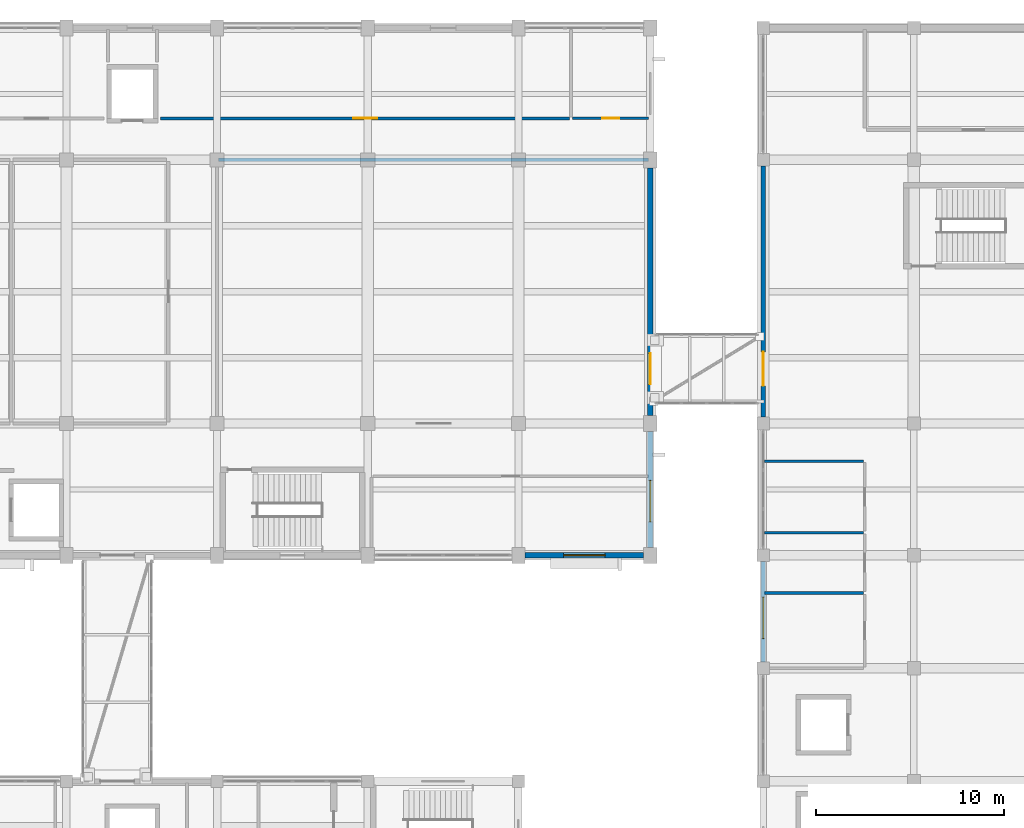
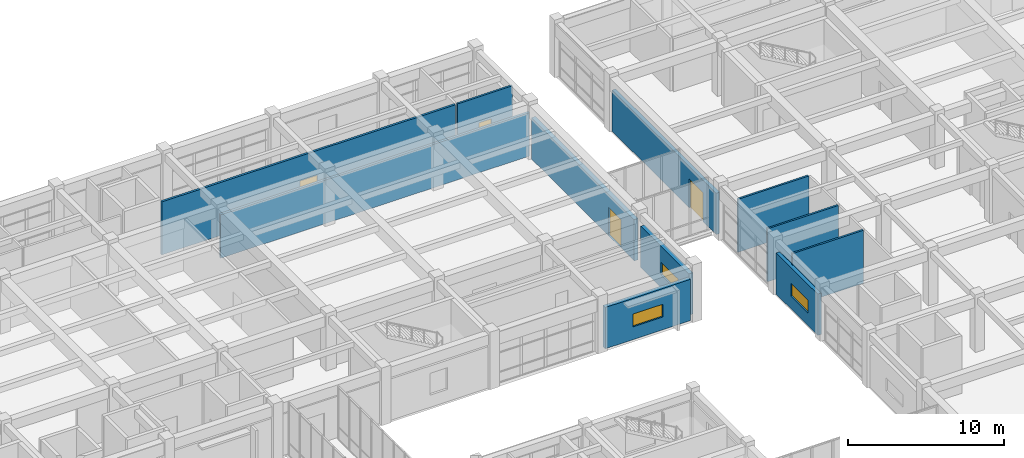
# One storey, part 53 of 72: 11 walls, 4 doors, 3 windows, 7 openings.
"""IFC4 building model written with IfcOpenShell, lengths in metres."""

from ifc_helpers import new_model, si_unit, direction, frame, frame_2d, origin, place, context, subcontext, project, spatial, rectangle, extrude, material, layer, layer_set, type_object, element, fill, save


model = new_model("IFC4")

# Units and contexts
model_context = context("Model", 3, precision=1e-05, world=origin(), true_north=direction((0.0, 1.0)))
body_context = subcontext(model_context, "Body", "Model", "MODEL_VIEW")
ifc_project = project(units=[si_unit("LENGTHUNIT", "METRE"), si_unit("AREAUNIT", "SQUARE_METRE"), si_unit("VOLUMEUNIT", "CUBIC_METRE"), si_unit("PLANEANGLEUNIT", "RADIAN"), si_unit("MASSUNIT", "GRAM", prefix="KILO")], contexts=[model_context])

# Site, building, storey
site_placement = place(None, origin())
site = spatial("IfcSite", under=ifc_project, at=site_placement, CompositionType="ELEMENT")
building_placement = place(site_placement, origin())
building = spatial("IfcBuilding", under=site, at=building_placement, Name="Naurynzar Civic Courthouse", CompositionType="ELEMENT")
storey_placement = place(building_placement, frame((0.0, 0.0, 9.89990234375)))
storey = spatial("IfcBuildingStorey", under=building, at=storey_placement, Name="L03", CompositionType="ELEMENT", Elevation=9.89990234375)

# Wall
ifc_material_1 = material(Name="Acoustic Double-Stud Gypsum Partition")
ifc_layer_1 = layer(ifc_material_1, 0.175048828125)
ifc_layer_set_1 = layer_set([ifc_layer_1], Name="WL-ACOUSTIC-175")
wall_type_1 = type_object("IfcWallType", Name="WL-ACOUSTIC-175", PredefinedType="PARTITIONING", material=ifc_layer_set_1)
wall_1_placement = place(storey_placement, frame((101.080078125, 65.0, 0.0), z_axis=(0.0, 0.0, 1.0), x_axis=(1.0, 0.0, 0.0)))
element("IfcWall", 1, at=wall_1_placement, inside=storey, type_object=wall_type_1, Name="V2 interior partition L03.367", PredefinedType="PARTITIONING", context=body_context, shape_type="SweptSolid", body=[
    extrude(rectangle(XDim=22.83984375, YDim=0.175048828125, at=frame_2d((11.419921875, 0.0))), origin(), (0.0, 0.0, 1.0), 3.400146484375),
])

# Wall, opening, window
ifc_material_2 = material(Name="Precast concrete C40/50", Category="concrete")
ifc_layer_2 = layer(ifc_material_2, 0.260009765625)
ifc_layer_set_2 = layer_set([ifc_layer_2], Name="WL-EXT-260")
wall_type_2 = type_object("IfcWallType", Name="WL-EXT-260", PredefinedType="SOLIDWALL", material=ifc_layer_set_2)
wall_2_placement = place(storey_placement, frame((130.0, 38.33740234375, 0.0), z_axis=(0.0, 0.0, 1.0), x_axis=(0.0, 1.0, 0.0)))
wall_2 = element("IfcWall", 2, at=wall_2_placement, inside=storey, type_object=wall_type_2, Name="V5 exterior wall west L03.6.1", PredefinedType="SOLIDWALL", context=body_context, shape_type="SweptSolid", body=[
    extrude(rectangle(XDim=5.3251953125, YDim=0.260009765625, at=frame_2d((2.66259765625, 0.0))), origin(), (0.0, 0.0, 1.0), 3.22998046875),
])
opening_1_placement = place(wall_2_placement, frame((1.242919921875, 0.0, 1.0)))
opening_1 = element("IfcOpeningElement", 3, at=opening_1_placement, cuts=wall_2, Name="Opening WN-18", PredefinedType="OPENING", context=body_context, shape_type="SweptSolid", body=[
    extrude(rectangle(XDim=2.199951171875, YDim=1.0, at=frame_2d((1.10009765625, 0.5))), frame((0.0, 0.139892578125, 0.0), z_axis=(0.0, -1.0, 0.0), x_axis=(1.0, 0.0, 0.0)), (0.0, 0.0, 1.0), 0.280029296875),
])
ifc_material_3 = material(Name="Tempered Laminated Low-E Glass", Category="glass")
window_type = type_object("IfcWindowType", Name="WIN-CLER-2200x1000", PartitioningType="DOUBLE_PANEL_VERTICAL", PredefinedType="WINDOW", material=ifc_material_3)
window_1_placement = place(opening_1_placement, origin())
window_1 = element("IfcWindow", 4, at=window_1_placement, inside=storey, type_object=window_type, Name="V5 window 284 L03", OverallHeight=1.0, OverallWidth=2.199951171875, PartitioningType="SINGLE_PANEL", PredefinedType="WINDOW", context=body_context, shape_type="SweptSolid", body=[
    extrude(rectangle(XDim=2.199951171875, YDim=1.0, at=frame_2d((1.10009765625, 0.5))), frame((0.0, 0.030029296875, 0.0), z_axis=(0.0, -1.0, 0.0), x_axis=(1.0, 0.0, 0.0)), (0.0, 0.0, 1.0), 0.06005859375),
])
fill(opening_1, window_1)

# Wall, opening, door
wall_3_placement = place(storey_placement, frame((130.0, 51.33740234375, 0.0), z_axis=(0.0, 0.0, 1.0), x_axis=(0.0, 1.0, 0.0)))
wall_3 = element("IfcWall", 5, at=wall_3_placement, inside=storey, type_object=wall_type_2, Name="V5 exterior wall west L03.8.1", PredefinedType="SOLIDWALL", context=body_context, shape_type="SweptSolid", body=[
    extrude(rectangle(XDim=13.3251953125, YDim=0.260009765625, at=frame_2d((6.66259765625, 0.0))), origin(), (0.0, 0.0, 1.0), 3.22998046875),
])
opening_2_placement = place(wall_3_placement, frame((1.66259765625, 0.0, 0.0)))
opening_2 = element("IfcOpeningElement", 6, at=opening_2_placement, cuts=wall_3, Name="Opening BD-37", PredefinedType="OPENING", context=body_context, shape_type="SweptSolid", body=[
    extrude(rectangle(XDim=1.800048828125, YDim=2.25, at=frame_2d((0.89990234375, 1.125))), frame((0.0, 0.139892578125, 0.0), z_axis=(0.0, -1.0, 0.0), x_axis=(1.0, 0.0, 0.0)), (0.0, 0.0, 1.0), 0.280029296875),
])
ifc_material_4 = material(Name="Aluminium 6063-T6", Category="aluminium")
door_type_1 = type_object("IfcDoorType", Name="DR-BRG-1800x2250", OperationType="DOUBLE_DOOR_SINGLE_SWING", PredefinedType="DOOR", material=ifc_material_4)
door_1_placement = place(opening_2_placement, origin())
door_1 = element("IfcDoor", 7, at=door_1_placement, inside=storey, type_object=door_type_1, Name="Seismic bridge fire door BD-37", OperationType="DOUBLE_DOOR_SINGLE_SWING", OverallHeight=2.25, OverallWidth=1.800048828125, PredefinedType="DOOR", context=body_context, shape_type="SweptSolid", body=[
    extrude(rectangle(XDim=1.800048828125, YDim=2.25, at=frame_2d((0.89990234375, 1.125))), frame((0.0, 0.02490234375, 0.0), z_axis=(0.0, -1.0, 0.0), x_axis=(1.0, 0.0, 0.0)), (0.0, 0.0, 1.0), 0.050048828125),
])
fill(opening_2, door_1)

ifc_material_5 = material(Name="Precast concrete C40/50", Category="concrete")
ifc_layer_3 = layer(ifc_material_5, 0.300048828125)
ifc_layer_set_3 = layer_set([ifc_layer_3], Name="WL-EXT-300")
wall_type_3 = type_object("IfcWallType", Name="WL-EXT-300", PredefinedType="SOLIDWALL", material=ifc_layer_set_3)
wall_4_placement = place(storey_placement, frame((124.0, 64.574951171875, 0.0), z_axis=(0.0, 0.0, 1.0), x_axis=(0.0, -1.0, 0.0)))
wall_4 = element("IfcWall", 8, at=wall_4_placement, inside=storey, type_object=wall_type_3, Name="V2 exterior wall east L03.2.1", PredefinedType="SOLIDWALL", context=body_context, shape_type="SweptSolid", body=[
    extrude(rectangle(XDim=13.14990234375, YDim=0.300048828125, at=frame_2d((6.574951171875, 0.0))), origin(), (0.0, 0.0, 1.0), 3.22998046875),
])
opening_3_placement = place(wall_4_placement, frame((9.85009765625, 0.0, 0.0)))
opening_3 = element("IfcOpeningElement", 9, at=opening_3_placement, cuts=wall_4, Name="Opening BD-12", PredefinedType="OPENING", context=body_context, shape_type="SweptSolid", body=[
    extrude(rectangle(XDim=1.64990234375, YDim=2.199951171875, at=frame_2d((0.824951171875, 1.10009765625))), frame((0.0, 0.159912109375, 0.0), z_axis=(0.0, -1.0, 0.0), x_axis=(1.0, 0.0, 0.0)), (0.0, 0.0, 1.0), 0.320068359375),
])
ifc_material_6 = material(Name="Aluminium 6063-T6", Category="aluminium")
door_type_2 = type_object("IfcDoorType", Name="DR-BRG-1650x2200", OperationType="DOUBLE_DOOR_SINGLE_SWING", PredefinedType="DOOR", material=ifc_material_6)
door_2_placement = place(opening_3_placement, origin())
door_2 = element("IfcDoor", 10, at=door_2_placement, inside=storey, type_object=door_type_2, Name="Seismic bridge fire door BD-12", OperationType="DOUBLE_DOOR_SINGLE_SWING", OverallHeight=2.199951171875, OverallWidth=1.64990234375, PredefinedType="DOOR", context=body_context, shape_type="SweptSolid", body=[
    extrude(rectangle(XDim=1.64990234375, YDim=2.199951171875, at=frame_2d((0.824951171875, 1.10009765625))), frame((0.0, 0.02490234375, 0.0), z_axis=(0.0, -1.0, 0.0), x_axis=(1.0, 0.0, 0.0)), (0.0, 0.0, 1.0), 0.050048828125),
])
fill(opening_3, door_2)

# Wall, opening, window
wall_5_placement = place(storey_placement, frame((124.0, 50.574951171875, 0.0), z_axis=(0.0, 0.0, 1.0), x_axis=(0.0, -1.0, 0.0)))
wall_5 = element("IfcWall", 11, at=wall_5_placement, inside=storey, type_object=wall_type_3, Name="V2 exterior wall east L03.3.1", PredefinedType="SOLIDWALL", context=body_context, shape_type="SweptSolid", body=[
    extrude(rectangle(XDim=6.14990234375, YDim=0.300048828125, at=frame_2d((3.074951171875, 0.0))), origin(), (0.0, 0.0, 1.0), 3.22998046875),
])
opening_4_placement = place(wall_5_placement, frame((2.594970703125, 0.0, 1.0)))
opening_4 = element("IfcOpeningElement", 12, at=opening_4_placement, cuts=wall_5, Name="Opening WN-18", PredefinedType="OPENING", context=body_context, shape_type="SweptSolid", body=[
    extrude(rectangle(XDim=2.199951171875, YDim=1.0, at=frame_2d((1.10009765625, 0.5))), frame((0.0, 0.159912109375, 0.0), z_axis=(0.0, -1.0, 0.0), x_axis=(1.0, 0.0, 0.0)), (0.0, 0.0, 1.0), 0.320068359375),
])
window_2_placement = place(opening_4_placement, origin())
window_2 = element("IfcWindow", 13, at=window_2_placement, inside=storey, type_object=window_type, Name="V2 window 69 L03", OverallHeight=1.0, OverallWidth=2.199951171875, PartitioningType="SINGLE_PANEL", PredefinedType="WINDOW", context=body_context, shape_type="SweptSolid", body=[
    extrude(rectangle(XDim=2.199951171875, YDim=1.0, at=frame_2d((1.10009765625, 0.5))), frame((0.0, 0.030029296875, 0.0), z_axis=(0.0, -1.0, 0.0), x_axis=(1.0, 0.0, 0.0)), (0.0, 0.0, 1.0), 0.06005859375),
])
fill(opening_4, window_2)

wall_6_placement = place(storey_placement, frame((123.64990234375, 44.0, 0.0), z_axis=(0.0, 0.0, 1.0), x_axis=(-1.0, 0.0, 0.0)))
wall_6 = element("IfcWall", 14, at=wall_6_placement, inside=storey, type_object=wall_type_3, Name="V2 exterior wall south L03.1.1", PredefinedType="SOLIDWALL", context=body_context, shape_type="SweptSolid", body=[
    extrude(rectangle(XDim=6.2998046875, YDim=0.300048828125, at=frame_2d((3.14990234375, 0.0))), origin(), (0.0, 0.0, 1.0), 3.22998046875),
])
opening_5_placement = place(wall_6_placement, frame((2.050048828125, 0.0, 1.0)))
opening_5 = element("IfcOpeningElement", 15, at=opening_5_placement, cuts=wall_6, Name="Opening WN-18", PredefinedType="OPENING", context=body_context, shape_type="SweptSolid", body=[
    extrude(rectangle(XDim=2.199951171875, YDim=1.0, at=frame_2d((1.10009765625, 0.5))), frame((0.0, 0.159912109375, 0.0), z_axis=(0.0, -1.0, 0.0), x_axis=(1.0, 0.0, 0.0)), (0.0, 0.0, 1.0), 0.320068359375),
])
window_3_placement = place(opening_5_placement, origin())
window_3 = element("IfcWindow", 16, at=window_3_placement, inside=storey, type_object=window_type, Name="V2 window 70 L03", OverallHeight=1.0, OverallWidth=2.199951171875, PartitioningType="SINGLE_PANEL", PredefinedType="WINDOW", context=body_context, shape_type="SweptSolid", body=[
    extrude(rectangle(XDim=2.199951171875, YDim=1.0, at=frame_2d((1.10009765625, 0.5))), frame((0.0, 0.030029296875, 0.0), z_axis=(0.0, -1.0, 0.0), x_axis=(1.0, 0.0, 0.0)), (0.0, 0.0, 1.0), 0.06005859375),
])
fill(opening_5, window_3)

# Wall, opening, door
ifc_material_7 = material(Name="Insulated Metal-Stud Gypsum Partition")
ifc_layer_4 = layer(ifc_material_7, 0.159912109375)
ifc_layer_set_4 = layer_set([ifc_layer_4], Name="WL-PART-CHAMB-160")
wall_type_4 = type_object("IfcWallType", Name="WL-PART-CHAMB-160", PredefinedType="PARTITIONING", material=ifc_layer_set_4)
wall_7_placement = place(storey_placement, frame((98.0, 67.199951171875, 0.0), z_axis=(0.0, 0.0, 1.0), x_axis=(1.0, 0.0, 0.0)))
wall_7 = element("IfcWall", 17, at=wall_7_placement, inside=storey, type_object=wall_type_4, Name="V2 interior partition L03.381", PredefinedType="PARTITIONING", context=body_context, shape_type="SweptSolid", body=[
    extrude(rectangle(XDim=21.719970703125, YDim=0.159912109375, at=frame_2d((10.85986328125, 0.0))), origin(), (0.0, 0.0, 1.0), 4.14013671875),
])
opening_6_placement = place(wall_7_placement, frame((10.219970703125, 0.0, 0.0)))
opening_6 = element("IfcOpeningElement", 18, at=opening_6_placement, cuts=wall_7, Name="Opening D-137", PredefinedType="OPENING", context=body_context, shape_type="SweptSolid", body=[
    extrude(rectangle(XDim=1.280029296875, YDim=2.199951171875, at=frame_2d((0.64013671875, 1.10009765625))), frame((0.0, 0.08984375, 0.0), z_axis=(0.0, -1.0, 0.0), x_axis=(1.0, 0.0, 0.0)), (0.0, 0.0, 1.0), 0.179931640625),
])
ifc_material_8 = material(Name="Acoustic Oak Timber Grade A", Category="wood")
door_type_3 = type_object("IfcDoorType", Name="DR-SUITE-1280x2200", OperationType="NOTDEFINED", PredefinedType="DOOR", material=ifc_material_8)
door_3_placement = place(opening_6_placement, origin())
door_3 = element("IfcDoor", 19, at=door_3_placement, inside=storey, type_object=door_type_3, Name="Interior door D-137 (Senior Judges' Chambers L03-E)", OperationType="SINGLE_SWING_LEFT", OverallHeight=2.199951171875, OverallWidth=1.280029296875, PredefinedType="DOOR", context=body_context, shape_type="SweptSolid", body=[
    extrude(rectangle(XDim=1.280029296875, YDim=2.199951171875, at=frame_2d((0.64013671875, 1.10009765625))), frame((0.0, 0.02490234375, 0.0), z_axis=(0.0, -1.0, 0.0), x_axis=(1.0, 0.0, 0.0)), (0.0, 0.0, 1.0), 0.050048828125),
])
fill(opening_6, door_3)

# Walls
ifc_material_9 = material(Name="Moisture-Resistant Plumbing Partition")
ifc_layer_5 = layer(ifc_material_9, 0.139892578125)
ifc_layer_set_5 = layer_set([ifc_layer_5], Name="WL-PART-WC-140")
wall_type_5 = type_object("IfcWallType", Name="WL-PART-WC-140", PredefinedType="PLUMBINGWALL", material=ifc_layer_set_5)
for number, where, z_axis, x_axis, name in (
    (20, (130.080078125, 42.0, 0.0), (0.0, 0.0, 1.0), (1.0, 0.0, 0.0), "V5 interior partition L03.340"),
    (21, (130.080078125, 45.199951171875, 0.0), (0.0, 0.0, 1.0), (1.0, 0.0, 0.0), "V5 interior partition L03.341"),
    (22, (130.080078125, 49.0, 0.0), (0.0, 0.0, 1.0), (1.0, 0.0, 0.0), "V5 interior partition L03.349"),
):
    element("IfcWall", number, at=place(storey_placement, frame(where, z_axis=z_axis, x_axis=x_axis)), inside=storey, type_object=wall_type_5, Name=name, PredefinedType="PLUMBINGWALL", context=body_context, shape_type="SweptSolid", body=[
        extrude(rectangle(XDim=5.239990234375, YDim=0.139892578125, at=frame_2d((2.6201171875, 0.0))), origin(), (0.0, 0.0, 1.0), 4.14013671875),
    ])

# Wall, opening, door
wall_8_placement = place(storey_placement, frame((119.8798828125, 67.199951171875, 0.0), z_axis=(0.0, 0.0, 1.0), x_axis=(1.0, 0.0, 0.0)))
wall_8 = element("IfcWall", 23, at=wall_8_placement, inside=storey, type_object=wall_type_5, Name="V2 interior partition L03.382", PredefinedType="PLUMBINGWALL", context=body_context, shape_type="SweptSolid", body=[
    extrude(rectangle(XDim=4.0400390625, YDim=0.139892578125, at=frame_2d((2.02001953125, 0.0))), origin(), (0.0, 0.0, 1.0), 4.14013671875),
])
opening_7_placement = place(wall_8_placement, frame((1.56005859375, 0.0, 0.0)))
opening_7 = element("IfcOpeningElement", 24, at=opening_7_placement, cuts=wall_8, Name="Opening D-138", PredefinedType="OPENING", context=body_context, shape_type="SweptSolid", body=[
    extrude(rectangle(XDim=0.919921875, YDim=2.10009765625, at=frame_2d((0.4599609375, 1.050048828125))), frame((0.0, 0.079833984375, 0.0), z_axis=(0.0, -1.0, 0.0), x_axis=(1.0, 0.0, 0.0)), (0.0, 0.0, 1.0), 0.159912109375),
])
ifc_material_10 = material(Name="Acoustic Oak Timber Grade A", Category="wood")
door_type_4 = type_object("IfcDoorType", Name="DR-WC-STD-920x2100", OperationType="NOTDEFINED", PredefinedType="DOOR", material=ifc_material_10)
door_4_placement = place(opening_7_placement, origin())
door_4 = element("IfcDoor", 25, at=door_4_placement, inside=storey, type_object=door_type_4, Name="Interior door D-138 (Judicial Staff WC V2)", OperationType="SINGLE_SWING_RIGHT", OverallHeight=2.10009765625, OverallWidth=0.919921875, PredefinedType="DOOR", context=body_context, shape_type="SweptSolid", body=[
    extrude(rectangle(XDim=0.919921875, YDim=2.10009765625, at=frame_2d((0.4599609375, 1.050048828125))), frame((0.0, 0.02490234375, 0.0), z_axis=(0.0, -1.0, 0.0), x_axis=(1.0, 0.0, 0.0)), (0.0, 0.0, 1.0), 0.050048828125),
])
fill(opening_7, door_4)

save(model, "model.ifc")
